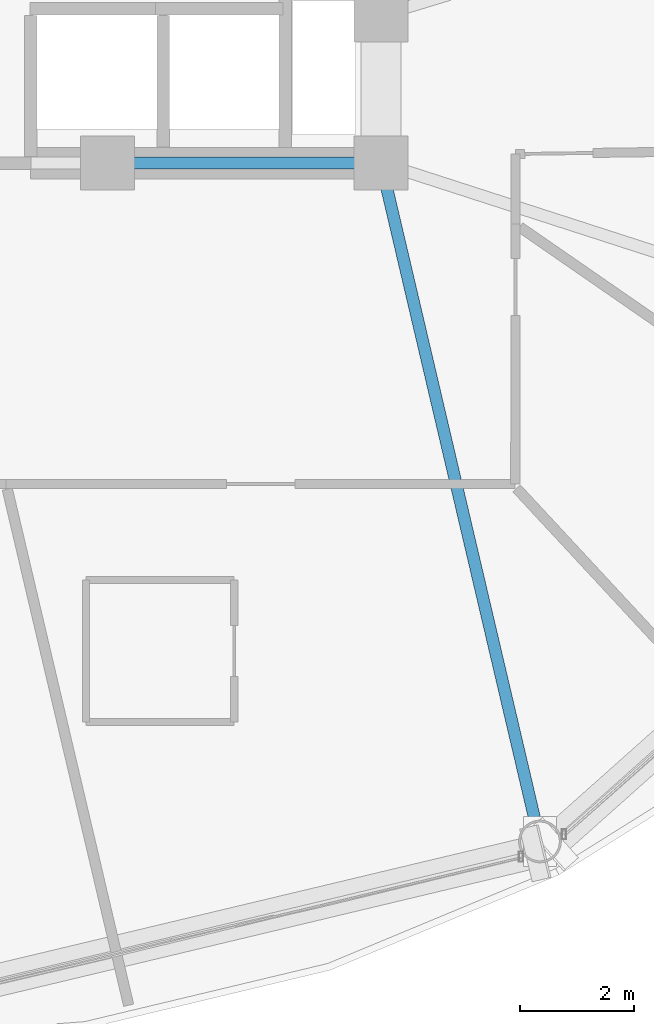
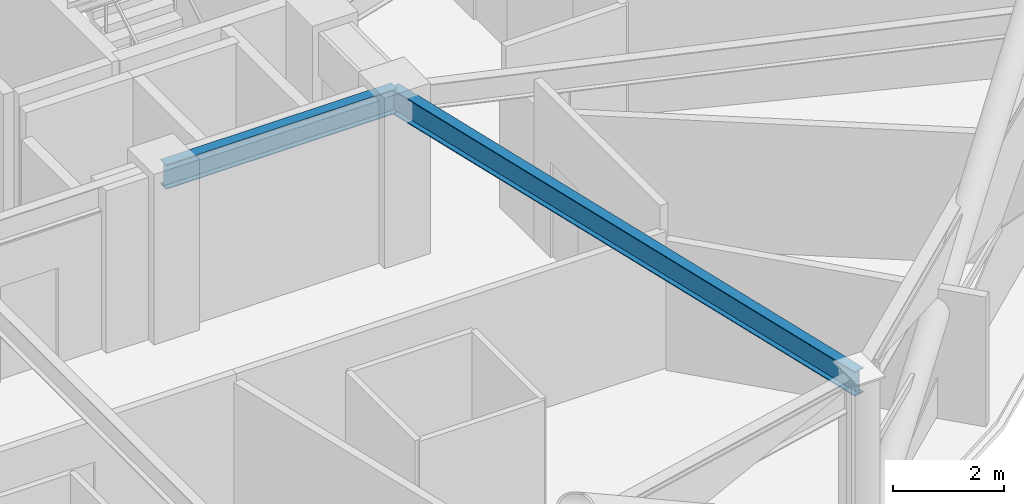
# One storey, part 9 of 29: 2 beams.
"""IFC4 building model written with IfcOpenShell, lengths in metres."""

from ifc_helpers import new_model, si_unit, direction, frame, origin, origin_2d, place, context, subcontext, project, spatial, i_section, extrude, material, material_profile, profile_set, type_object, element, save


model = new_model("IFC4")

# Units and contexts
model_context = context("Model", 3, precision=1e-05, world=origin(), true_north=direction((0.0, 1.0)))
body_context = subcontext(model_context, "Body", "Model", "MODEL_VIEW")
ifc_project = project(units=[si_unit("LENGTHUNIT", "METRE"), si_unit("AREAUNIT", "SQUARE_METRE"), si_unit("VOLUMEUNIT", "CUBIC_METRE"), si_unit("PLANEANGLEUNIT", "RADIAN"), si_unit("MASSUNIT", "GRAM", prefix="KILO")], contexts=[model_context])

# Site, building, storey
site_placement = place(None, origin())
site = spatial("IfcSite", under=ifc_project, at=site_placement, CompositionType="ELEMENT")
building_placement = place(site_placement, origin())
building = spatial("IfcBuilding", under=site, at=building_placement, Name="Vantalir Tower", CompositionType="ELEMENT")
storey_placement = place(building_placement, frame((0.0, 0.0, 149.699951171875)))
storey = spatial("IfcBuildingStorey", under=building, at=storey_placement, Name="L37", CompositionType="ELEMENT", Elevation=149.699951171875)

# Beams
ifc_material = material(Name="Steel S355", Category="steel")
ifc_material_profile = material_profile(ifc_material, i_section(OverallWidth=0.2109375, OverallDepth=0.5390625, WebThickness=0.01171875, FlangeThickness=0.018798828125, at=origin_2d()), Name="Steel S355")
ifc_profile_set = profile_set([ifc_material_profile], Name="Steel S355")
beam_type = type_object("IfcBeamType", Name="BM-RB-533x210", PredefinedType="BEAM", material=ifc_profile_set)
beam_1_placement = place(storey_placement, frame((36.300048828125, 17.800048828125, 3.301025390625), z_axis=(1.0, 0.0, 0.0), x_axis=(0.0, 1.0, 0.0)))
element("IfcBeam", 1, at=beam_1_placement, inside=storey, type_object=beam_type, Name="L37 Core Coupling Girder 04", PredefinedType="BEAM", context=body_context, shape_type="SweptSolid", body=[
    extrude(i_section(OverallWidth=0.2109375, OverallDepth=0.5390625, WebThickness=0.01171875, FlangeThickness=0.018798828125, at=origin_2d()), origin(), (0.0, 0.0, 1.0), 4.800048828125),
])
beam_2_placement = place(storey_placement, frame((43.89208984375, 5.887939453125, 3.301025390625), z_axis=(-0.228198416036, 0.973614648061, 0.0), x_axis=(-0.973614648061, -0.228198416036, 0.0)))
element("IfcBeam", 2, at=beam_2_placement, inside=storey, type_object=beam_type, Name="L37 Radial Floor Beam 11", PredefinedType="BEAM", context=body_context, shape_type="SweptSolid", body=[
    extrude(i_section(OverallWidth=0.2109375, OverallDepth=0.5390625, WebThickness=0.01171875, FlangeThickness=0.018798828125, at=origin_2d()), origin(), (0.0, 0.0, 1.0), 12.23486328125),
])

save(model, "model.ifc")
